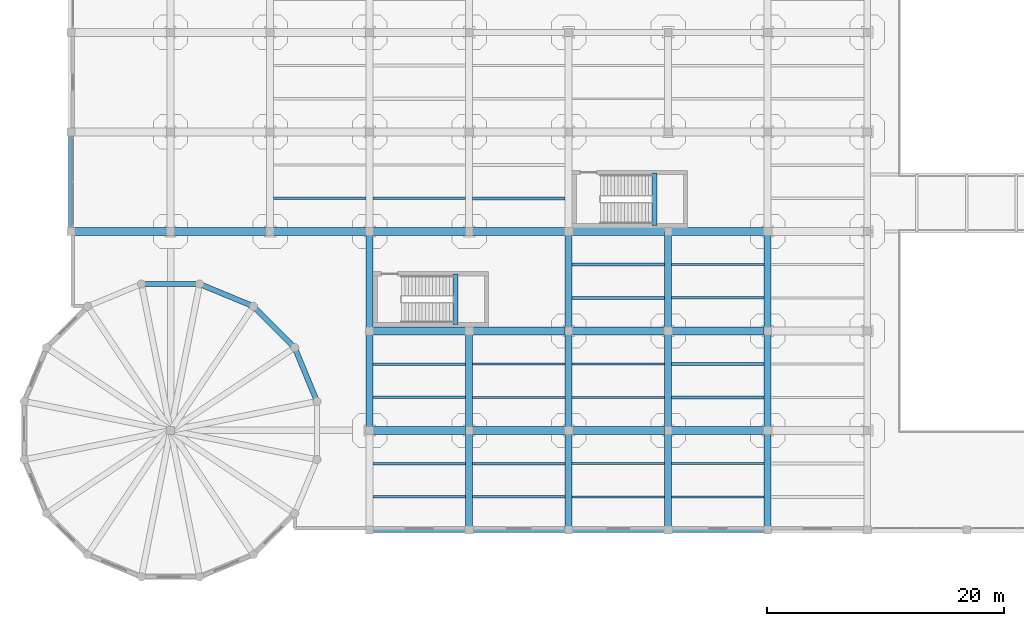
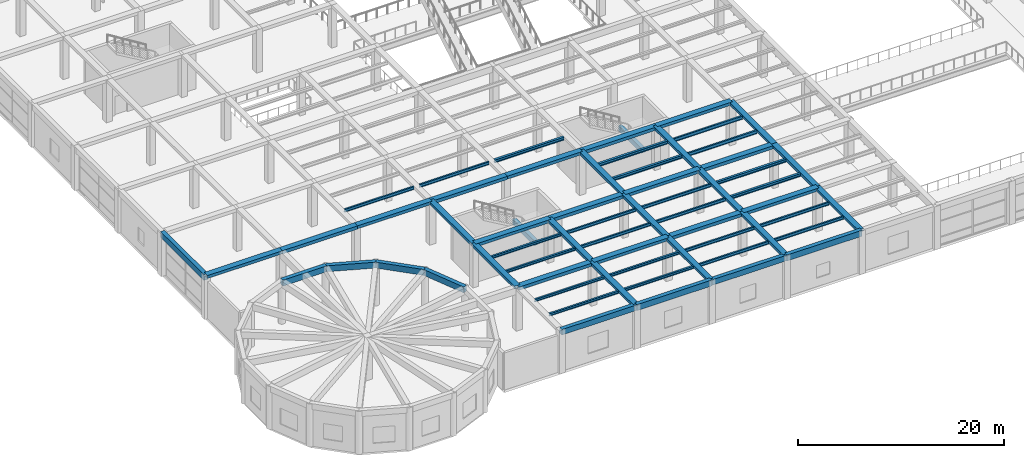
# One storey, part 4 of 65: 62 beams.
"""IFC4 building model written with IfcOpenShell, lengths in metres."""

from ifc_helpers import new_model, si_unit, direction, frame, origin, origin_2d, place, context, subcontext, project, spatial, rectangle, i_section, extrude, material, material_profile, profile_set, type_object, element, save


model = new_model("IFC4")

# Units and contexts
model_context = context("Model", 3, precision=1e-05, world=origin(), true_north=direction((0.0, 1.0)))
body_context = subcontext(model_context, "Body", "Model", "MODEL_VIEW")
ifc_project = project(units=[si_unit("LENGTHUNIT", "METRE"), si_unit("AREAUNIT", "SQUARE_METRE"), si_unit("VOLUMEUNIT", "CUBIC_METRE"), si_unit("PLANEANGLEUNIT", "RADIAN"), si_unit("MASSUNIT", "GRAM", prefix="KILO")], contexts=[model_context])

# Site, building, storey
site_placement = place(None, origin())
site = spatial("IfcSite", under=ifc_project, at=site_placement, CompositionType="ELEMENT")
building_placement = place(site_placement, origin())
building = spatial("IfcBuilding", under=site, at=building_placement, Name="Almacenes y Pasaje Nevantli", CompositionType="ELEMENT")
storey_placement = place(building_placement, frame((0.0, 0.0, 16.800048828125)))
storey = spatial("IfcBuildingStorey", under=building, at=storey_placement, Name="L04", CompositionType="ELEMENT", Elevation=16.800048828125)

# Beams
ifc_material_1 = material(Name="Concrete C35/45", Category="concrete")
ifc_material_profile_1 = material_profile(ifc_material_1, rectangle(XDim=0.39990234375, YDim=0.60009765625, at=origin_2d()), Name="RC-BM-400x600")
ifc_profile_set_1 = profile_set([ifc_material_profile_1], Name="Concrete C35/45")
beam_type_1 = type_object("IfcBeamType", Name="BM-RC-400x600", PredefinedType="SPANDREL", material=ifc_profile_set_1)
beam_1_placement = place(storey_placement, frame((32.449951171875, 17.35009765625, 2.199951171875), z_axis=(0.0, 1.0, 0.0), x_axis=(-1.0, 0.0, 0.0)))
element("IfcBeam", 1, at=beam_1_placement, inside=storey, type_object=beam_type_1, Name="L04 Stair ST-04 Half-Landing Support Beam", PredefinedType="SPANDREL", context=body_context, shape_type="SweptSolid", body=[
    extrude(rectangle(XDim=0.39990234375, YDim=0.60009765625, at=origin_2d()), origin(), (0.0, 0.0, 1.0), 4.25),
])
beam_2_placement = place(storey_placement, frame((49.25, 25.699951171875, 2.199951171875), z_axis=(0.0, 1.0, 0.0), x_axis=(-1.0, 0.0, 0.0)))
element("IfcBeam", 2, at=beam_2_placement, inside=storey, type_object=beam_type_1, Name="L04 Stair ST-14 Half-Landing Support Beam", PredefinedType="SPANDREL", context=body_context, shape_type="SweptSolid", body=[
    extrude(rectangle(XDim=0.39990234375, YDim=0.60009765625, at=origin_2d()), origin(), (0.0, 0.0, 1.0), 4.449951171875),
])
ifc_material_2 = material(Name="Concrete C35/45", Category="concrete")
ifc_material_profile_2 = material_profile(ifc_material_2, rectangle(XDim=0.449951171875, YDim=0.64990234375, at=origin_2d()), Name="RC-BM-450x650")
ifc_profile_set_2 = profile_set([ifc_material_profile_2], Name="Concrete C35/45")
beam_type_2 = type_object("IfcBeamType", Name="BM-RC-450x650", PredefinedType="SPANDREL", material=ifc_profile_set_2)
beam_3_placement = place(storey_placement, frame((25.199951171875, 0.0, 4.77490234375), z_axis=(1.0, 0.0, 0.0), x_axis=(0.0, 1.0, 0.0)))
element("IfcBeam", 3, at=beam_3_placement, inside=storey, type_object=beam_type_2, Name="L04 East-West Reinforced Concrete Beam #2750", PredefinedType="SPANDREL", context=body_context, shape_type="SweptSolid", body=[
    extrude(rectangle(XDim=0.449951171875, YDim=0.64990234375, at=origin_2d()), origin(), (0.0, 0.0, 1.0), 8.400146484375),
])
beam_4_placement = place(storey_placement, frame((42.0, 0.0, 4.77490234375), z_axis=(1.0, 0.0, 0.0), x_axis=(0.0, 1.0, 0.0)))
element("IfcBeam", 4, at=beam_4_placement, inside=storey, type_object=beam_type_2, Name="L04 East-West Reinforced Concrete Beam #2752", PredefinedType="SPANDREL", context=body_context, shape_type="SweptSolid", body=[
    extrude(rectangle(XDim=0.449951171875, YDim=0.64990234375, at=origin_2d()), origin(), (0.0, 0.0, 1.0), 8.39990234375),
])
ifc_material_3 = material(Name="Concrete C35/45", Category="concrete")
ifc_material_profile_3 = material_profile(ifc_material_3, rectangle(XDim=0.449951171875, YDim=0.699951171875, at=origin_2d()), Name="RC-BM-450x700")
ifc_profile_set_3 = profile_set([ifc_material_profile_3], Name="Concrete C35/45")
beam_type_3 = type_object("IfcBeamType", Name="BM-RC-450x700", PredefinedType="SPANDREL", material=ifc_profile_set_3)
beam_5_placement = place(storey_placement, frame((33.60009765625, 0.0, 4.75), z_axis=(1.0, 0.0, 0.0), x_axis=(0.0, 1.0, 0.0)))
element("IfcBeam", 5, at=beam_5_placement, inside=storey, type_object=beam_type_3, Name="L04 East-West Reinforced Concrete Beam #2751", PredefinedType="SPANDREL", context=body_context, shape_type="SweptSolid", body=[
    extrude(rectangle(XDim=0.449951171875, YDim=0.699951171875, at=origin_2d()), origin(), (0.0, 0.0, 1.0), 8.39990234375),
])
for number, where, z_axis, x_axis, name in (
    (6, (50.39990234375, 0.0, 4.75), (1.0, 0.0, 0.0), (0.0, 1.0, 0.0), "L04 East-West Reinforced Concrete Beam #2753"),
    (7, (0.0, 25.199951171875, 4.75), (0.0, 1.0, 0.0), (-1.0, 0.0, 0.0), "L04 North-South Reinforced Concrete Beam #2993"),
):
    element("IfcBeam", number, at=place(storey_placement, frame(where, z_axis=z_axis, x_axis=x_axis)), inside=storey, type_object=beam_type_3, Name=name, PredefinedType="SPANDREL", context=body_context, shape_type="SweptSolid", body=[
        extrude(rectangle(XDim=0.449951171875, YDim=0.699951171875, at=origin_2d()), origin(), (0.0, 0.0, 1.0), 8.400146484375),
    ])
for number, where, z_axis, x_axis, name in (
    (8, (20.7578125, 10.858154296875, 4.75), (-0.382682198272, 0.923880043688, 0.0), (-0.923880043688, -0.382682198272, 0.0), "L04 Rotunda Ring Spandrel Beam #1"),
    (9, (18.87646484375, 15.400146484375, 4.75), (-0.707106781187, 0.707106781187, 0.0), (-0.707106781187, -0.707106781187, 0.0), "L04 Rotunda Ring Spandrel Beam #2"),
    (10, (15.400146484375, 18.87646484375, 4.75), (-0.923880043688, 0.382682198272, 0.0), (-0.382682198272, -0.923880043688, 0.0), "L04 Rotunda Ring Spandrel Beam #3"),
    (11, (10.858154296875, 20.7578125, 4.75), (-1.0, 0.0, 0.0), (0.0, -1.0, 0.0), "L04 Rotunda Ring Spandrel Beam #4"),
):
    element("IfcBeam", number, at=place(storey_placement, frame(where, z_axis=z_axis, x_axis=x_axis)), inside=storey, type_object=beam_type_3, Name=name, PredefinedType="SPANDREL", context=body_context, shape_type="SweptSolid", body=[
        extrude(rectangle(XDim=0.449951171875, YDim=0.699951171875, at=origin_2d()), origin(), (0.0, 0.0, 1.0), 4.916259765625),
    ])
ifc_material_4 = material(Name="Concrete C35/45", Category="concrete")
ifc_material_profile_4 = material_profile(ifc_material_4, rectangle(XDim=0.60009765625, YDim=0.320068359375, at=origin_2d()), Name="RC-BM-600x320")
ifc_profile_set_4 = profile_set([ifc_material_profile_4], Name="Concrete C35/45")
beam_type_4 = type_object("IfcBeamType", Name="BM-RC-600x320", PredefinedType="BEAM", material=ifc_profile_set_4)
beam_6_placement = place(storey_placement, frame((25.199951171875, 16.800048828125, 4.93994140625), z_axis=(0.0, 1.0, 0.0), x_axis=(-1.0, 0.0, 0.0)))
element("IfcBeam", 12, at=beam_6_placement, inside=storey, type_object=beam_type_4, Name="L04 North-South Reinforced Concrete Beam #3026", PredefinedType="BEAM", context=body_context, shape_type="SweptSolid", body=[
    extrude(rectangle(XDim=0.60009765625, YDim=0.320068359375, at=origin_2d()), origin(), (0.0, 0.0, 1.0), 8.39990234375),
])
beam_7_placement = place(storey_placement, frame((33.60009765625, 8.39990234375, 4.93994140625), z_axis=(0.0, 1.0, 0.0), x_axis=(-1.0, 0.0, 0.0)))
element("IfcBeam", 13, at=beam_7_placement, inside=storey, type_object=beam_type_4, Name="L04 North-South Reinforced Concrete Beam #3038", PredefinedType="BEAM", context=body_context, shape_type="SweptSolid", body=[
    extrude(rectangle(XDim=0.60009765625, YDim=0.320068359375, at=origin_2d()), origin(), (0.0, 0.0, 1.0), 8.400146484375),
])
for number, where, z_axis, x_axis, name in (
    (14, (42.0, 0.0, 4.93994140625), (0.0, 1.0, 0.0), (-1.0, 0.0, 0.0), "L04 North-South Reinforced Concrete Beam #3050"),
    (15, (42.0, 16.800048828125, 4.93994140625), (0.0, 1.0, 0.0), (-1.0, 0.0, 0.0), "L04 North-South Reinforced Concrete Beam #3052"),
):
    element("IfcBeam", number, at=place(storey_placement, frame(where, z_axis=z_axis, x_axis=x_axis)), inside=storey, type_object=beam_type_4, Name=name, PredefinedType="BEAM", context=body_context, shape_type="SweptSolid", body=[
        extrude(rectangle(XDim=0.60009765625, YDim=0.320068359375, at=origin_2d()), origin(), (0.0, 0.0, 1.0), 8.39990234375),
    ])
beam_8_placement = place(storey_placement, frame((50.39990234375, 8.39990234375, 4.93994140625), z_axis=(0.0, 1.0, 0.0), x_axis=(-1.0, 0.0, 0.0)))
element("IfcBeam", 16, at=beam_8_placement, inside=storey, type_object=beam_type_4, Name="L04 North-South Reinforced Concrete Beam #3060", PredefinedType="BEAM", context=body_context, shape_type="SweptSolid", body=[
    extrude(rectangle(XDim=0.60009765625, YDim=0.320068359375, at=origin_2d()), origin(), (0.0, 0.0, 1.0), 8.400146484375),
])
for number, where, z_axis, x_axis, name in (
    (17, (58.800048828125, 0.0, 4.93994140625), (0.0, 1.0, 0.0), (-1.0, 0.0, 0.0), "L04 North-South Reinforced Concrete Beam #3068"),
    (18, (58.800048828125, 16.800048828125, 4.93994140625), (0.0, 1.0, 0.0), (-1.0, 0.0, 0.0), "L04 North-South Reinforced Concrete Beam #3070"),
):
    element("IfcBeam", number, at=place(storey_placement, frame(where, z_axis=z_axis, x_axis=x_axis)), inside=storey, type_object=beam_type_4, Name=name, PredefinedType="BEAM", context=body_context, shape_type="SweptSolid", body=[
        extrude(rectangle(XDim=0.60009765625, YDim=0.320068359375, at=origin_2d()), origin(), (0.0, 0.0, 1.0), 8.39990234375),
    ])
ifc_material_5 = material(Name="Concrete C35/45", Category="concrete")
ifc_material_profile_5 = material_profile(ifc_material_5, rectangle(XDim=0.60009765625, YDim=0.340087890625, at=origin_2d()), Name="RC-BM-600x340")
ifc_profile_set_5 = profile_set([ifc_material_profile_5], Name="Concrete C35/45")
beam_type_5 = type_object("IfcBeamType", Name="BM-RC-600x340", PredefinedType="BEAM", material=ifc_profile_set_5)
beam_9_placement = place(storey_placement, frame((25.199951171875, 8.39990234375, 4.929931640625), z_axis=(0.0, 1.0, 0.0), x_axis=(-1.0, 0.0, 0.0)))
element("IfcBeam", 19, at=beam_9_placement, inside=storey, type_object=beam_type_5, Name="L04 North-South Reinforced Concrete Beam #3025", PredefinedType="BEAM", context=body_context, shape_type="SweptSolid", body=[
    extrude(rectangle(XDim=0.60009765625, YDim=0.340087890625, at=origin_2d()), origin(), (0.0, 0.0, 1.0), 8.400146484375),
])
beam_10_placement = place(storey_placement, frame((33.60009765625, 0.0, 4.929931640625), z_axis=(0.0, 1.0, 0.0), x_axis=(-1.0, 0.0, 0.0)))
element("IfcBeam", 20, at=beam_10_placement, inside=storey, type_object=beam_type_5, Name="L04 North-South Reinforced Concrete Beam #3037", PredefinedType="BEAM", context=body_context, shape_type="SweptSolid", body=[
    extrude(rectangle(XDim=0.60009765625, YDim=0.340087890625, at=origin_2d()), origin(), (0.0, 0.0, 1.0), 8.39990234375),
])
beam_11_placement = place(storey_placement, frame((42.0, 8.39990234375, 4.929931640625), z_axis=(0.0, 1.0, 0.0), x_axis=(-1.0, 0.0, 0.0)))
element("IfcBeam", 21, at=beam_11_placement, inside=storey, type_object=beam_type_5, Name="L04 North-South Reinforced Concrete Beam #3051", PredefinedType="BEAM", context=body_context, shape_type="SweptSolid", body=[
    extrude(rectangle(XDim=0.60009765625, YDim=0.340087890625, at=origin_2d()), origin(), (0.0, 0.0, 1.0), 8.400146484375),
])
for number, where, z_axis, x_axis, name in (
    (22, (50.39990234375, 0.0, 4.929931640625), (0.0, 1.0, 0.0), (-1.0, 0.0, 0.0), "L04 North-South Reinforced Concrete Beam #3059"),
    (23, (50.39990234375, 16.800048828125, 4.929931640625), (0.0, 1.0, 0.0), (-1.0, 0.0, 0.0), "L04 North-South Reinforced Concrete Beam #3061"),
):
    element("IfcBeam", number, at=place(storey_placement, frame(where, z_axis=z_axis, x_axis=x_axis)), inside=storey, type_object=beam_type_5, Name=name, PredefinedType="BEAM", context=body_context, shape_type="SweptSolid", body=[
        extrude(rectangle(XDim=0.60009765625, YDim=0.340087890625, at=origin_2d()), origin(), (0.0, 0.0, 1.0), 8.39990234375),
    ])
beam_12_placement = place(storey_placement, frame((58.800048828125, 8.39990234375, 4.929931640625), z_axis=(0.0, 1.0, 0.0), x_axis=(-1.0, 0.0, 0.0)))
element("IfcBeam", 24, at=beam_12_placement, inside=storey, type_object=beam_type_5, Name="L04 North-South Reinforced Concrete Beam #3069", PredefinedType="BEAM", context=body_context, shape_type="SweptSolid", body=[
    extrude(rectangle(XDim=0.60009765625, YDim=0.340087890625, at=origin_2d()), origin(), (0.0, 0.0, 1.0), 8.400146484375),
])
ifc_material_6 = material(Name="Concrete C35/45", Category="concrete")
ifc_material_profile_6 = material_profile(ifc_material_6, rectangle(XDim=0.64990234375, YDim=0.35009765625, at=origin_2d()), Name="RC-BM-650x350")
ifc_profile_set_6 = profile_set([ifc_material_profile_6], Name="Concrete C35/45")
beam_type_6 = type_object("IfcBeamType", Name="BM-RC-650x350", PredefinedType="BEAM", material=ifc_profile_set_6)
beam_13_placement = place(storey_placement, frame((33.60009765625, 8.39990234375, 4.925048828125), z_axis=(1.0, 0.0, 0.0), x_axis=(0.0, 1.0, 0.0)))
element("IfcBeam", 25, at=beam_13_placement, inside=storey, type_object=beam_type_6, Name="L04 East-West Reinforced Concrete Beam #2768", PredefinedType="BEAM", context=body_context, shape_type="SweptSolid", body=[
    extrude(rectangle(XDim=0.64990234375, YDim=0.35009765625, at=origin_2d()), origin(), (0.0, 0.0, 1.0), 8.39990234375),
])
for number, where, z_axis, x_axis, name in (
    (26, (50.39990234375, 8.39990234375, 4.925048828125), (1.0, 0.0, 0.0), (0.0, 1.0, 0.0), "L04 East-West Reinforced Concrete Beam #2770"),
    (27, (25.199951171875, 16.800048828125, 4.925048828125), (1.0, 0.0, 0.0), (0.0, 1.0, 0.0), "L04 East-West Reinforced Concrete Beam #2781"),
):
    element("IfcBeam", number, at=place(storey_placement, frame(where, z_axis=z_axis, x_axis=x_axis)), inside=storey, type_object=beam_type_6, Name=name, PredefinedType="BEAM", context=body_context, shape_type="SweptSolid", body=[
        extrude(rectangle(XDim=0.64990234375, YDim=0.35009765625, at=origin_2d()), origin(), (0.0, 0.0, 1.0), 8.400146484375),
    ])
for number, where, z_axis, x_axis, name in (
    (28, (42.0, 16.800048828125, 4.925048828125), (1.0, 0.0, 0.0), (0.0, 1.0, 0.0), "L04 East-West Reinforced Concrete Beam #2783"),
    (29, (0.0, 25.199951171875, 4.925048828125), (1.0, 0.0, 0.0), (0.0, 1.0, 0.0), "L04 East-West Reinforced Concrete Beam #2795"),
    (30, (16.800048828125, 25.199951171875, 4.925048828125), (1.0, 0.0, 0.0), (0.0, 1.0, 0.0), "L04 East-West Reinforced Concrete Beam #2797"),
    (31, (33.60009765625, 25.199951171875, 4.925048828125), (1.0, 0.0, 0.0), (0.0, 1.0, 0.0), "L04 East-West Reinforced Concrete Beam #2799"),
):
    element("IfcBeam", number, at=place(storey_placement, frame(where, z_axis=z_axis, x_axis=x_axis)), inside=storey, type_object=beam_type_6, Name=name, PredefinedType="BEAM", context=body_context, shape_type="SweptSolid", body=[
        extrude(rectangle(XDim=0.64990234375, YDim=0.35009765625, at=origin_2d()), origin(), (0.0, 0.0, 1.0), 8.39990234375),
    ])
beam_14_placement = place(storey_placement, frame((50.39990234375, 25.199951171875, 4.925048828125), z_axis=(1.0, 0.0, 0.0), x_axis=(0.0, 1.0, 0.0)))
element("IfcBeam", 32, at=beam_14_placement, inside=storey, type_object=beam_type_6, Name="L04 East-West Reinforced Concrete Beam #2801", PredefinedType="BEAM", context=body_context, shape_type="SweptSolid", body=[
    extrude(rectangle(XDim=0.64990234375, YDim=0.35009765625, at=origin_2d()), origin(), (0.0, 0.0, 1.0), 8.400146484375),
])
ifc_material_7 = material(Name="Concrete C35/45", Category="concrete")
ifc_material_profile_7 = material_profile(ifc_material_7, rectangle(XDim=0.64990234375, YDim=0.3798828125, at=origin_2d()), Name="RC-BM-650x380")
ifc_profile_set_7 = profile_set([ifc_material_profile_7], Name="Concrete C35/45")
beam_type_7 = type_object("IfcBeamType", Name="BM-RC-650x380", PredefinedType="BEAM", material=ifc_profile_set_7)
beam_15_placement = place(storey_placement, frame((25.199951171875, 8.39990234375, 4.909912109375), z_axis=(1.0, 0.0, 0.0), x_axis=(0.0, 1.0, 0.0)))
element("IfcBeam", 33, at=beam_15_placement, inside=storey, type_object=beam_type_7, Name="L04 East-West Reinforced Concrete Beam #2767", PredefinedType="BEAM", context=body_context, shape_type="SweptSolid", body=[
    extrude(rectangle(XDim=0.64990234375, YDim=0.3798828125, at=origin_2d()), origin(), (0.0, 0.0, 1.0), 8.400146484375),
])
for number, where, z_axis, x_axis, name in (
    (34, (42.0, 8.39990234375, 4.909912109375), (1.0, 0.0, 0.0), (0.0, 1.0, 0.0), "L04 East-West Reinforced Concrete Beam #2769"),
    (35, (33.60009765625, 16.800048828125, 4.909912109375), (1.0, 0.0, 0.0), (0.0, 1.0, 0.0), "L04 East-West Reinforced Concrete Beam #2782"),
):
    element("IfcBeam", number, at=place(storey_placement, frame(where, z_axis=z_axis, x_axis=x_axis)), inside=storey, type_object=beam_type_7, Name=name, PredefinedType="BEAM", context=body_context, shape_type="SweptSolid", body=[
        extrude(rectangle(XDim=0.64990234375, YDim=0.3798828125, at=origin_2d()), origin(), (0.0, 0.0, 1.0), 8.39990234375),
    ])
for number, where, z_axis, x_axis, name in (
    (36, (50.39990234375, 16.800048828125, 4.909912109375), (1.0, 0.0, 0.0), (0.0, 1.0, 0.0), "L04 East-West Reinforced Concrete Beam #2784"),
    (37, (8.39990234375, 25.199951171875, 4.909912109375), (1.0, 0.0, 0.0), (0.0, 1.0, 0.0), "L04 East-West Reinforced Concrete Beam #2796"),
    (38, (25.199951171875, 25.199951171875, 4.909912109375), (1.0, 0.0, 0.0), (0.0, 1.0, 0.0), "L04 East-West Reinforced Concrete Beam #2798"),
):
    element("IfcBeam", number, at=place(storey_placement, frame(where, z_axis=z_axis, x_axis=x_axis)), inside=storey, type_object=beam_type_7, Name=name, PredefinedType="BEAM", context=body_context, shape_type="SweptSolid", body=[
        extrude(rectangle(XDim=0.64990234375, YDim=0.3798828125, at=origin_2d()), origin(), (0.0, 0.0, 1.0), 8.400146484375),
    ])
beam_16_placement = place(storey_placement, frame((42.0, 25.199951171875, 4.909912109375), z_axis=(1.0, 0.0, 0.0), x_axis=(0.0, 1.0, 0.0)))
element("IfcBeam", 39, at=beam_16_placement, inside=storey, type_object=beam_type_7, Name="L04 East-West Reinforced Concrete Beam #2800", PredefinedType="BEAM", context=body_context, shape_type="SweptSolid", body=[
    extrude(rectangle(XDim=0.64990234375, YDim=0.3798828125, at=origin_2d()), origin(), (0.0, 0.0, 1.0), 8.39990234375),
])
ifc_material_8 = material(Name="Steel ASTM A992", Category="steel")
ifc_material_profile_8 = material_profile(ifc_material_8, i_section(OverallWidth=0.202880859375, OverallDepth=0.304931640625, WebThickness=0.007568359375, FlangeThickness=0.01318359375, at=origin_2d()), Name="IR 305x59.5")
ifc_profile_set_8 = profile_set([ifc_material_profile_8], Name="Steel ASTM A992")
beam_type_8 = type_object("IfcBeamType", Name="BM-STL-IR-305x59p5", PredefinedType="JOIST", material=ifc_profile_set_8)
for number, where, z_axis, x_axis, name in (
    (40, (25.5, 2.800048828125, 4.939453125), (1.0, 0.0, 0.0), (0.0, 1.0, 0.0), "L04 Secondary Steel Floor Joist #1035"),
    (41, (25.5, 5.60009765625, 4.939453125), (1.0, 0.0, 0.0), (0.0, 1.0, 0.0), "L04 Secondary Steel Floor Joist #1036"),
):
    element("IfcBeam", number, at=place(storey_placement, frame(where, z_axis=z_axis, x_axis=x_axis)), inside=storey, type_object=beam_type_8, Name=name, PredefinedType="JOIST", context=body_context, shape_type="SweptSolid", body=[
        extrude(i_section(OverallWidth=0.202880859375, OverallDepth=0.304931640625, WebThickness=0.007568359375, FlangeThickness=0.01318359375, at=origin_2d()), origin(), (0.0, 0.0, 1.0), 7.800048828125),
    ])
ifc_material_9 = material(Name="Steel ASTM A992", Category="steel")
ifc_material_profile_9 = material_profile(ifc_material_9, i_section(OverallWidth=0.205078125, OverallDepth=0.31005859375, WebThickness=0.009521484375, FlangeThickness=0.016357421875, at=origin_2d()), Name="IR 305x74.4")
ifc_profile_set_9 = profile_set([ifc_material_profile_9], Name="Steel ASTM A992")
beam_type_9 = type_object("IfcBeamType", Name="BM-STL-IR-305x74p4", PredefinedType="JOIST", material=ifc_profile_set_9)
for number, where, z_axis, x_axis, name in (
    (42, (25.5, 11.199951171875, 4.93701171875), (1.0, 0.0, 0.0), (0.0, 1.0, 0.0), "L04 Secondary Steel Floor Joist #1037"),
    (43, (25.5, 14.0, 4.93701171875), (1.0, 0.0, 0.0), (0.0, 1.0, 0.0), "L04 Secondary Steel Floor Joist #1038"),
    (44, (33.89990234375, 2.800048828125, 4.93701171875), (1.0, 0.0, 0.0), (0.0, 1.0, 0.0), "L04 Secondary Steel Floor Joist #1059"),
    (45, (33.89990234375, 5.60009765625, 4.93701171875), (1.0, 0.0, 0.0), (0.0, 1.0, 0.0), "L04 Secondary Steel Floor Joist #1060"),
):
    element("IfcBeam", number, at=place(storey_placement, frame(where, z_axis=z_axis, x_axis=x_axis)), inside=storey, type_object=beam_type_9, Name=name, PredefinedType="JOIST", context=body_context, shape_type="SweptSolid", body=[
        extrude(i_section(OverallWidth=0.205078125, OverallDepth=0.31005859375, WebThickness=0.009521484375, FlangeThickness=0.016357421875, at=origin_2d()), origin(), (0.0, 0.0, 1.0), 7.800048828125),
    ])
ifc_material_10 = material(Name="Steel ASTM A992", Category="steel")
ifc_material_profile_10 = material_profile(ifc_material_10, i_section(OverallWidth=0.173095703125, OverallDepth=0.35302734375, WebThickness=0.0078125, FlangeThickness=0.01318359375, at=origin_2d()), Name="IR 356x56.6")
ifc_profile_set_10 = profile_set([ifc_material_profile_10], Name="Steel ASTM A992")
beam_type_10 = type_object("IfcBeamType", Name="BM-STL-IR-356x56p6", PredefinedType="JOIST", material=ifc_profile_set_10)
beam_17_placement = place(storey_placement, frame((17.10009765625, 28.0, 4.91552734375), z_axis=(1.0, 0.0, 0.0), x_axis=(0.0, 1.0, 0.0)))
element("IfcBeam", 46, at=beam_17_placement, inside=storey, type_object=beam_type_10, Name="L04 Secondary Steel Floor Joist #1019", PredefinedType="JOIST", context=body_context, shape_type="SweptSolid", body=[
    extrude(i_section(OverallWidth=0.173095703125, OverallDepth=0.35302734375, WebThickness=0.0078125, FlangeThickness=0.01318359375, at=origin_2d()), origin(), (0.0, 0.0, 1.0), 7.7998046875),
])
for number, where, z_axis, x_axis, name in (
    (47, (33.89990234375, 11.199951171875, 4.91552734375), (1.0, 0.0, 0.0), (0.0, 1.0, 0.0), "L04 Secondary Steel Floor Joist #1061"),
    (48, (33.89990234375, 14.0, 4.91552734375), (1.0, 0.0, 0.0), (0.0, 1.0, 0.0), "L04 Secondary Steel Floor Joist #1062"),
    (49, (42.300048828125, 2.800048828125, 4.91552734375), (1.0, 0.0, 0.0), (0.0, 1.0, 0.0), "L04 Secondary Steel Floor Joist #1075"),
    (50, (42.300048828125, 5.60009765625, 4.91552734375), (1.0, 0.0, 0.0), (0.0, 1.0, 0.0), "L04 Secondary Steel Floor Joist #1076"),
):
    element("IfcBeam", number, at=place(storey_placement, frame(where, z_axis=z_axis, x_axis=x_axis)), inside=storey, type_object=beam_type_10, Name=name, PredefinedType="JOIST", context=body_context, shape_type="SweptSolid", body=[
        extrude(i_section(OverallWidth=0.173095703125, OverallDepth=0.35302734375, WebThickness=0.0078125, FlangeThickness=0.01318359375, at=origin_2d()), origin(), (0.0, 0.0, 1.0), 7.800048828125),
    ])
ifc_material_11 = material(Name="Steel ASTM A992", Category="steel")
ifc_material_profile_11 = material_profile(ifc_material_11, i_section(OverallWidth=0.173095703125, OverallDepth=0.364013671875, WebThickness=0.009033203125, FlangeThickness=0.015625, at=origin_2d()), Name="IR 356x67.0")
ifc_profile_set_11 = profile_set([ifc_material_profile_11], Name="Steel ASTM A992")
beam_type_11 = type_object("IfcBeamType", Name="BM-STL-IR-356x67p0", PredefinedType="JOIST", material=ifc_profile_set_11)
for number, where, z_axis, x_axis, name in (
    (51, (25.5, 28.0, 4.909912109375), (1.0, 0.0, 0.0), (0.0, 1.0, 0.0), "L04 Secondary Steel Floor Joist #1039"),
    (52, (42.300048828125, 11.199951171875, 4.909912109375), (1.0, 0.0, 0.0), (0.0, 1.0, 0.0), "L04 Secondary Steel Floor Joist #1077"),
    (53, (42.300048828125, 14.0, 4.909912109375), (1.0, 0.0, 0.0), (0.0, 1.0, 0.0), "L04 Secondary Steel Floor Joist #1078"),
    (54, (50.699951171875, 2.800048828125, 4.909912109375), (1.0, 0.0, 0.0), (0.0, 1.0, 0.0), "L04 Secondary Steel Floor Joist #1091"),
    (55, (50.699951171875, 5.60009765625, 4.909912109375), (1.0, 0.0, 0.0), (0.0, 1.0, 0.0), "L04 Secondary Steel Floor Joist #1092"),
):
    element("IfcBeam", number, at=place(storey_placement, frame(where, z_axis=z_axis, x_axis=x_axis)), inside=storey, type_object=beam_type_11, Name=name, PredefinedType="JOIST", context=body_context, shape_type="SweptSolid", body=[
        extrude(i_section(OverallWidth=0.173095703125, OverallDepth=0.364013671875, WebThickness=0.009033203125, FlangeThickness=0.015625, at=origin_2d()), origin(), (0.0, 0.0, 1.0), 7.800048828125),
    ])
ifc_material_12 = material(Name="Steel ASTM A992", Category="steel")
ifc_material_profile_12 = material_profile(ifc_material_12, i_section(OverallWidth=0.25390625, OverallDepth=0.35595703125, WebThickness=0.009521484375, FlangeThickness=0.016357421875, at=origin_2d()), Name="IR 356x79.0")
ifc_profile_set_12 = profile_set([ifc_material_profile_12], Name="Steel ASTM A992")
beam_type_12 = type_object("IfcBeamType", Name="BM-STL-IR-356x79p0", PredefinedType="JOIST", material=ifc_profile_set_12)
for number, where, z_axis, x_axis, name in (
    (56, (33.89990234375, 28.0, 4.9140625), (1.0, 0.0, 0.0), (0.0, 1.0, 0.0), "L04 Secondary Steel Floor Joist #1063"),
    (57, (42.300048828125, 19.60009765625, 4.9140625), (1.0, 0.0, 0.0), (0.0, 1.0, 0.0), "L04 Secondary Steel Floor Joist #1079"),
    (58, (42.300048828125, 22.39990234375, 4.9140625), (1.0, 0.0, 0.0), (0.0, 1.0, 0.0), "L04 Secondary Steel Floor Joist #1080"),
    (59, (50.699951171875, 11.199951171875, 4.9140625), (1.0, 0.0, 0.0), (0.0, 1.0, 0.0), "L04 Secondary Steel Floor Joist #1093"),
    (60, (50.699951171875, 14.0, 4.9140625), (1.0, 0.0, 0.0), (0.0, 1.0, 0.0), "L04 Secondary Steel Floor Joist #1094"),
):
    element("IfcBeam", number, at=place(storey_placement, frame(where, z_axis=z_axis, x_axis=x_axis)), inside=storey, type_object=beam_type_12, Name=name, PredefinedType="JOIST", context=body_context, shape_type="SweptSolid", body=[
        extrude(i_section(OverallWidth=0.25390625, OverallDepth=0.35595703125, WebThickness=0.009521484375, FlangeThickness=0.016357421875, at=origin_2d()), origin(), (0.0, 0.0, 1.0), 7.800048828125),
    ])
ifc_material_13 = material(Name="Steel ASTM A992", Category="steel")
ifc_material_profile_13 = material_profile(ifc_material_13, i_section(OverallWidth=0.178955078125, OverallDepth=0.406005859375, WebThickness=0.0087890625, FlangeThickness=0.014404296875, at=origin_2d()), Name="IR 406x67.0")
ifc_profile_set_13 = profile_set([ifc_material_profile_13], Name="Steel ASTM A992")
beam_type_13 = type_object("IfcBeamType", Name="BM-STL-IR-406x67p0", PredefinedType="JOIST", material=ifc_profile_set_13)
for number, where, z_axis, x_axis, name in (
    (61, (50.699951171875, 19.60009765625, 4.888916015625), (1.0, 0.0, 0.0), (0.0, 1.0, 0.0), "L04 Secondary Steel Floor Joist #1095"),
    (62, (50.699951171875, 22.39990234375, 4.888916015625), (1.0, 0.0, 0.0), (0.0, 1.0, 0.0), "L04 Secondary Steel Floor Joist #1096"),
):
    element("IfcBeam", number, at=place(storey_placement, frame(where, z_axis=z_axis, x_axis=x_axis)), inside=storey, type_object=beam_type_13, Name=name, PredefinedType="JOIST", context=body_context, shape_type="SweptSolid", body=[
        extrude(i_section(OverallWidth=0.178955078125, OverallDepth=0.406005859375, WebThickness=0.0087890625, FlangeThickness=0.014404296875, at=origin_2d()), origin(), (0.0, 0.0, 1.0), 7.800048828125),
    ])

save(model, "model.ifc")
